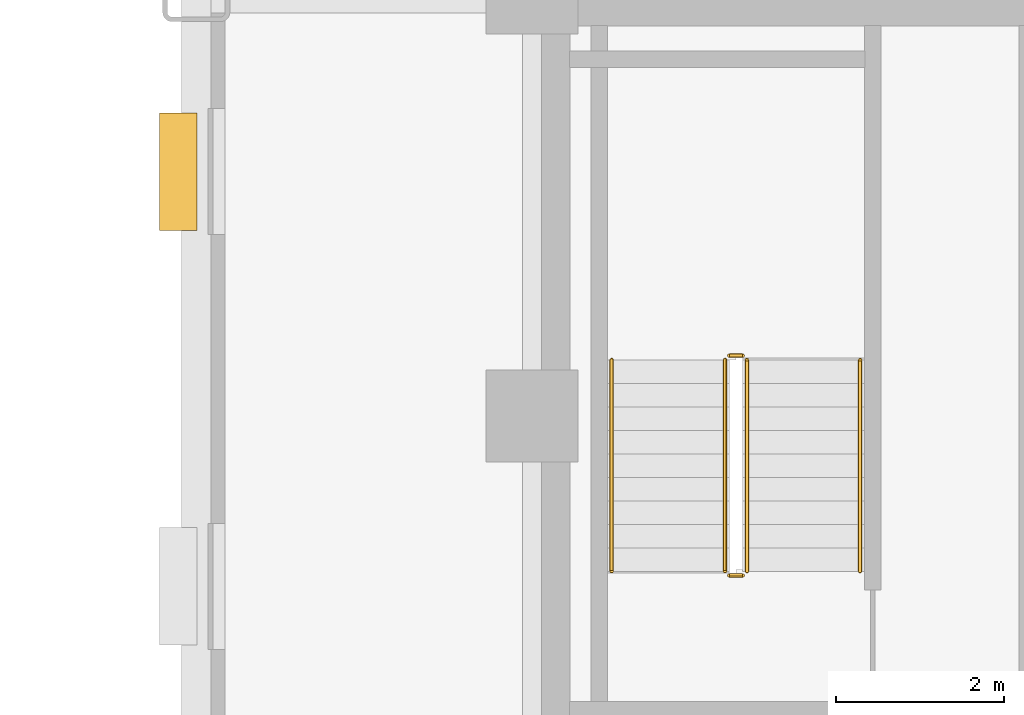
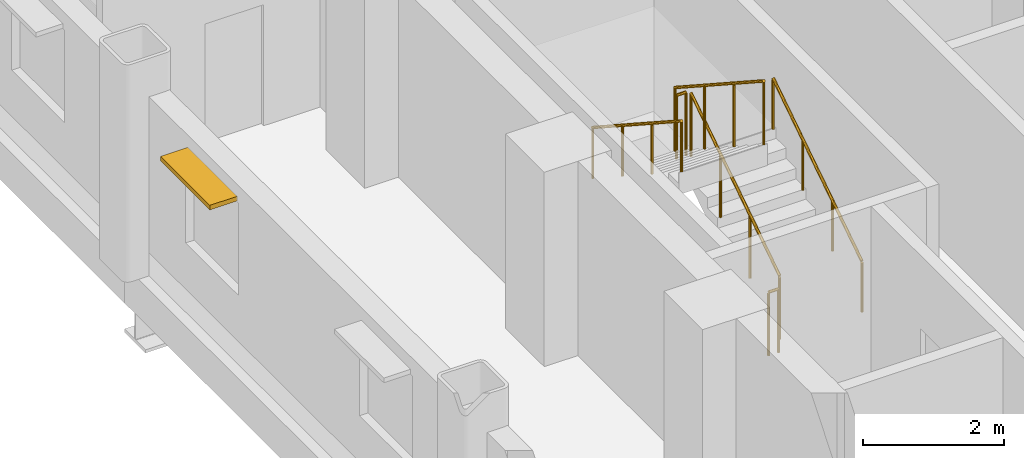
# One storey, part 12 of 14: 6 railings, 1 shading device.
"""IFC4 building model written with IfcOpenShell, lengths in metres."""

from ifc_helpers import new_model, si_unit, direction, frame, origin, origin_2d, place, context, subcontext, project, spatial, rectangle, circle, extrude, source, transform, mapped, material, type_object, type_shapes, element, save


model = new_model("IFC4")

# Units and contexts
model_context = context("Model", 3, precision=1e-05, world=origin(), true_north=direction((0.0, 1.0)))
body_context = subcontext(model_context, "Body", "Model", "MODEL_VIEW")
ifc_project = project(units=[si_unit("LENGTHUNIT", "METRE"), si_unit("AREAUNIT", "SQUARE_METRE"), si_unit("VOLUMEUNIT", "CUBIC_METRE"), si_unit("PLANEANGLEUNIT", "RADIAN"), si_unit("MASSUNIT", "GRAM", prefix="KILO")], contexts=[model_context])

# Site, building, storey
site_placement = place(None, origin())
site = spatial("IfcSite", under=ifc_project, at=site_placement, CompositionType="ELEMENT")
building_placement = place(site_placement, origin())
building = spatial("IfcBuilding", under=site, at=building_placement, Name="Nuvemarco Arch Tower", CompositionType="ELEMENT")
storey_placement = place(building_placement, frame((0.0, 0.0, 56.800048828125)))
storey = spatial("IfcBuildingStorey", under=building, at=storey_placement, Name="L14", CompositionType="ELEMENT", Elevation=56.800048828125)

# Railings
ifc_material_1 = material(Name="Brushed stainless steel handrail", Category="steel")
railing_type_1 = type_object("IfcRailingType", Name="RL-HANDRAIL-900", PredefinedType="HANDRAIL", material=ifc_material_1)
railing_1_placement = place(storey_placement, frame((-13.590087890625, 2.64990234375, 0.182373046875)))
element("IfcRailing", 1, at=railing_1_placement, inside=storey, type_object=railing_type_1, Name="L14 ST-1 stair handrail 1", PredefinedType="HANDRAIL", context=body_context, shape_type="SweptSolid", body=[
    extrude(circle(Radius=0.02392578125, at=origin_2d()), frame((0.0, 0.0, 0.8759765625), z_axis=(0.0, 0.837749427056, 0.546054848405), x_axis=(-1.0, 0.0, 0.0)), (0.0, 0.0, 1.0), 3.008056640625),
    extrude(circle(Radius=0.02099609375, at=origin_2d()), origin(), (0.0, 0.0, 1.0), 0.851806640625),
    extrude(circle(Radius=0.02099609375, at=origin_2d()), frame((0.0, 0.840087890625, 0.547607421875)), (0.0, 0.0, 1.0), 0.851806640625),
    extrude(circle(Radius=0.02099609375, at=origin_2d()), frame((0.0, 1.679931640625, 1.094970703125)), (0.0, 0.0, 1.0), 0.851806640625),
    extrude(circle(Radius=0.02099609375, at=origin_2d()), frame((0.0, 2.52001953125, 1.642578125)), (0.0, 0.0, 1.0), 0.851806640625),
])
railing_2_placement = place(storey_placement, frame((-16.550048828125, 5.169921875, 2.007568359375)))
element("IfcRailing", 2, at=railing_2_placement, inside=storey, type_object=railing_type_1, Name="L14 ST-1 stair handrail 2", PredefinedType="HANDRAIL", context=body_context, shape_type="SweptSolid", body=[
    extrude(circle(Radius=0.02392578125, at=origin_2d()), frame((0.0, 0.0, 0.8759765625), z_axis=(0.0, -0.837786554691, 0.545997883492), x_axis=(1.0, 0.0, 0.0)), (0.0, 0.0, 1.0), 3.008056640625),
    extrude(circle(Radius=0.02099609375, at=origin_2d()), origin(), (0.0, 0.0, 1.0), 0.851806640625),
    extrude(circle(Radius=0.02099609375, at=origin_2d()), frame((0.0, -0.840087890625, 0.54736328125)), (0.0, 0.0, 1.0), 0.851806640625),
    extrude(circle(Radius=0.02099609375, at=origin_2d()), frame((0.0, -1.679931640625, 1.094970703125)), (0.0, 0.0, 1.0), 0.851806640625),
    extrude(circle(Radius=0.02099609375, at=origin_2d()), frame((0.0, -2.52001953125, 1.642333984375)), (0.0, 0.0, 1.0), 0.851806640625),
])
ifc_material_2 = material(Name="Painted balustrade steel S355", Category="steel")
railing_type_2 = type_object("IfcRailingType", Name="RL-STAIR-GUARD", PredefinedType="GUARDRAIL", material=ifc_material_2)
railing_3_placement = place(storey_placement, frame((-14.93994140625, 2.64990234375, 0.182373046875)))
element("IfcRailing", 3, at=railing_3_placement, inside=storey, type_object=railing_type_2, Name="L14 ST-1 stair guard 1", PredefinedType="GUARDRAIL", context=body_context, shape_type="SweptSolid", body=[
    extrude(circle(Radius=0.02392578125, at=origin_2d()), frame((0.0, 0.0, 1.09619140625), z_axis=(0.0, 0.837749427056, 0.546054848405), x_axis=(-1.0, 0.0, 0.0)), (0.0, 0.0, 1.0), 3.008056640625),
    extrude(circle(Radius=0.02099609375, at=origin_2d()), origin(), (0.0, 0.0, 1.0), 1.072021484375),
    extrude(circle(Radius=0.02099609375, at=origin_2d()), frame((0.0, 0.840087890625, 0.547607421875)), (0.0, 0.0, 1.0), 1.072021484375),
    extrude(circle(Radius=0.02099609375, at=origin_2d()), frame((0.0, 1.679931640625, 1.094970703125)), (0.0, 0.0, 1.0), 1.072021484375),
    extrude(circle(Radius=0.02099609375, at=origin_2d()), frame((0.0, 2.52001953125, 1.642578125)), (0.0, 0.0, 1.0), 1.072021484375),
])
railing_4_placement = place(storey_placement, frame((-14.989990234375, 5.219970703125, 1.824951171875)))
element("IfcRailing", 4, at=railing_4_placement, inside=storey, type_object=railing_type_2, Name="L14 ST-1 stair guard 2", PredefinedType="GUARDRAIL", context=body_context, shape_type="SweptSolid", body=[
    extrude(circle(Radius=0.02392578125, at=origin_2d()), frame((0.0, 0.0, 1.09619140625), z_axis=(-1.0, 0.0, 0.0), x_axis=(0.0, -1.0, 0.0)), (0.0, 0.0, 1.0), 0.159912109375),
    extrude(circle(Radius=0.02099609375, at=origin_2d()), origin(), (0.0, 0.0, 1.0), 1.072021484375),
    extrude(circle(Radius=0.02099609375, at=origin_2d()), frame((-0.159912109375, 0.0, 0.0)), (0.0, 0.0, 1.0), 1.072021484375),
])
railing_5_placement = place(storey_placement, frame((-15.199951171875, 5.169921875, 2.007568359375)))
element("IfcRailing", 5, at=railing_5_placement, inside=storey, type_object=railing_type_2, Name="L14 ST-1 stair guard 3", PredefinedType="GUARDRAIL", context=body_context, shape_type="SweptSolid", body=[
    extrude(circle(Radius=0.02392578125, at=origin_2d()), frame((0.0, 0.0, 1.09619140625), z_axis=(0.0, -0.837786554691, 0.545997883492), x_axis=(1.0, 0.0, 0.0)), (0.0, 0.0, 1.0), 3.008056640625),
    extrude(circle(Radius=0.02099609375, at=origin_2d()), origin(), (0.0, 0.0, 1.0), 1.072021484375),
    extrude(circle(Radius=0.02099609375, at=origin_2d()), frame((0.0, -0.840087890625, 0.54736328125)), (0.0, 0.0, 1.0), 1.072021484375),
    extrude(circle(Radius=0.02099609375, at=origin_2d()), frame((0.0, -1.679931640625, 1.094970703125)), (0.0, 0.0, 1.0), 1.072021484375),
    extrude(circle(Radius=0.02099609375, at=origin_2d()), frame((0.0, -2.52001953125, 1.642333984375)), (0.0, 0.0, 1.0), 1.072021484375),
])
railing_6_placement = place(storey_placement, frame((-14.989990234375, 2.60009765625, 0.0)))
element("IfcRailing", 6, at=railing_6_placement, inside=storey, type_object=railing_type_2, Name="L14 ST-1 stair guard 4", PredefinedType="GUARDRAIL", context=body_context, shape_type="SweptSolid", body=[
    extrude(circle(Radius=0.02392578125, at=origin_2d()), frame((0.0, 0.0, 1.09619140625), z_axis=(-1.0, 0.0, 0.0), x_axis=(0.0, -1.0, 0.0)), (0.0, 0.0, 1.0), 0.159912109375),
    extrude(circle(Radius=0.02099609375, at=origin_2d()), origin(), (0.0, 0.0, 1.0), 1.072021484375),
    extrude(circle(Radius=0.02099609375, at=origin_2d()), frame((-0.159912109375, 0.0, 0.0)), (0.0, 0.0, 1.0), 1.072021484375),
])

# Shading device
ifc_material_3 = material(Name="Anodised aluminium 6063-T6", Category="aluminium")
shading_device_type = type_object("IfcShadingDeviceType", Name="SHD-BRISE-NARROW", PredefinedType="USERDEFINED", material=ifc_material_3)
shared_shape = source(origin(), body_context, "Body", "SweptSolid", [
    extrude(rectangle(XDim=1.39990234375, YDim=0.449951171875, at=origin_2d()), origin(), (0.0, 0.0, 1.0), 0.080078125),
])
type_shapes(shading_device_type, [shared_shape])
shading_device_placement = place(storey_placement, frame((-21.715087890625, 7.41162109375, 2.405029296875), z_axis=(0.0, 0.0, 1.0), x_axis=(0.0, 1.0, 0.0)))
element("IfcShadingDevice", 7, at=shading_device_placement, inside=storey, type_object=shading_device_type, Name="L14 horizontal brise-soleil sunshade", ObjectType="SUNSHADE", PredefinedType="USERDEFINED", context=body_context, shape_type="MappedRepresentation", body=[
    mapped(shared_shape, transform((0.0, 0.0, 0.0), scale=1.0)),
])

save(model, "model.ifc")
